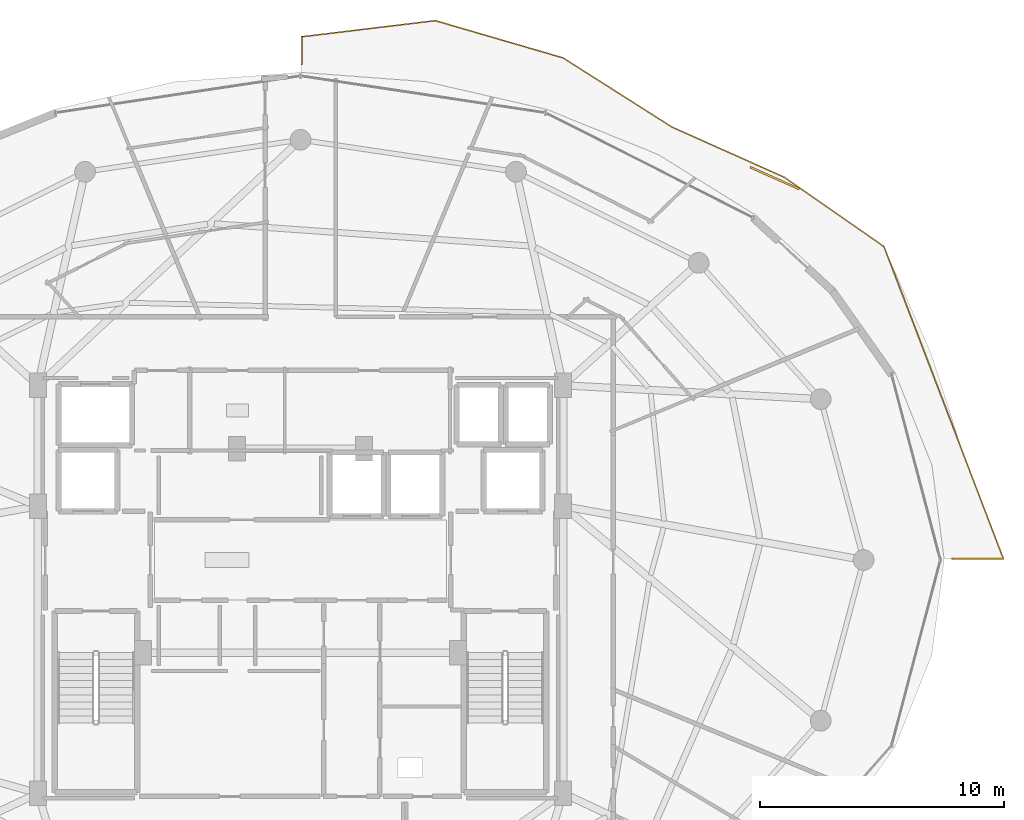
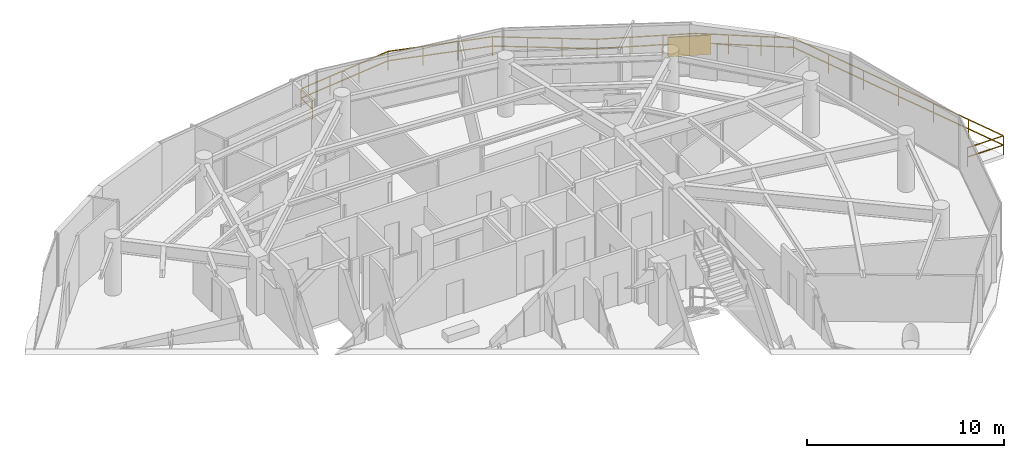
# One storey, part 31 of 32: 2 railings, 1 shading device.
"""IFC4 building model written with IfcOpenShell, lengths in metres."""

from ifc_helpers import new_model, si_unit, direction, frame, origin, origin_2d, place, context, subcontext, project, spatial, rectangle, extrude, material, type_object, element, save


model = new_model("IFC4")

# Units and contexts
model_context = context("Model", 3, precision=1e-05, world=origin(), true_north=direction((0.0, 1.0)))
body_context = subcontext(model_context, "Body", "Model", "MODEL_VIEW")
ifc_project = project(units=[si_unit("LENGTHUNIT", "METRE"), si_unit("AREAUNIT", "SQUARE_METRE"), si_unit("VOLUMEUNIT", "CUBIC_METRE"), si_unit("PLANEANGLEUNIT", "RADIAN"), si_unit("MASSUNIT", "GRAM", prefix="KILO")], contexts=[model_context])

# Site, building, storey
site_placement = place(None, origin())
site = spatial("IfcSite", under=ifc_project, at=site_placement, CompositionType="ELEMENT")
building_placement = place(site_placement, origin())
building = spatial("IfcBuilding", under=site, at=building_placement, Name="Vorneva Point Tower", CompositionType="ELEMENT")
storey_placement = place(building_placement, frame((0.0, 0.0, 269.75)))
storey = spatial("IfcBuildingStorey", under=building, at=storey_placement, Name="L73", CompositionType="ELEMENT", Elevation=269.75)

# Railings
ifc_material = material(Name="Pale anodised aluminium", Category="aluminium")
railing_type = type_object("IfcRailingType", Name="RL-BAL-1200", PredefinedType="BALUSTRADE", material=ifc_material)
railing_1_placement = place(storey_placement, frame((38.050048828125, 47.4208984375, 0.0)))
element("IfcRailing", 1, at=railing_1_placement, inside=storey, type_object=railing_type, Name="L73 Wave Balcony Balustrade NE.1", PredefinedType="BALUSTRADE", context=body_context, shape_type="SweptSolid", body=[
    extrude(rectangle(XDim=0.048095703125, YDim=0.048095703125, at=origin_2d()), frame((0.0, 0.0, 1.17578125), z_axis=(0.0, -1.0, 0.0), x_axis=(1.0, 0.0, 0.0)), (0.0, 0.0, 1.0), 1.143798828125),
    extrude(rectangle(XDim=0.048095703125, YDim=0.048095703125, at=origin_2d()), frame((0.0, 0.0, 0.60009765625), z_axis=(0.0, -1.0, 0.0), x_axis=(1.0, 0.0, 0.0)), (0.0, 0.0, 1.0), 1.143798828125),
    extrude(rectangle(XDim=0.0419921875, YDim=0.0419921875, at=origin_2d()), origin(), (0.0, 0.0, 1.0), 1.15185546875),
    extrude(rectangle(XDim=0.0419921875, YDim=0.0419921875, at=origin_2d()), frame((0.0, -1.143798828125, 0.0)), (0.0, 0.0, 1.0), 1.15185546875),
])
railing_2_placement = place(storey_placement, frame((64.666259765625, 26.050048828125, 0.0)))
element("IfcRailing", 2, at=railing_2_placement, inside=storey, type_object=railing_type, Name="L73 Wave Balcony Balustrade NE.2", PredefinedType="BALUSTRADE", context=body_context, shape_type="SweptSolid", body=[
    extrude(rectangle(XDim=0.048095703125, YDim=0.048095703125, at=origin_2d()), frame((0.0, 0.0, 1.17578125), z_axis=(1.0, 0.0, 0.0), x_axis=(0.0, 1.0, 0.0)), (0.0, 0.0, 1.0), 2.109619140625),
    extrude(rectangle(XDim=0.048095703125, YDim=0.048095703125, at=origin_2d()), frame((0.0, 0.0, 0.60009765625), z_axis=(1.0, 0.0, 0.0), x_axis=(0.0, 1.0, 0.0)), (0.0, 0.0, 1.0), 2.109619140625),
    extrude(rectangle(XDim=0.048095703125, YDim=0.048095703125, at=origin_2d()), frame((2.109619140625, 0.0, 1.17578125), z_axis=(-0.35724640499, 0.934010174528, 0.0), x_axis=(-0.934010174528, -0.35724640499, 0.0)), (0.0, 0.0, 1.0), 13.686279296875),
    extrude(rectangle(XDim=0.048095703125, YDim=0.048095703125, at=origin_2d()), frame((2.109619140625, 0.0, 0.60009765625), z_axis=(-0.35724640499, 0.934010174528, 0.0), x_axis=(-0.934010174528, -0.35724640499, 0.0)), (0.0, 0.0, 1.0), 13.686279296875),
    extrude(rectangle(XDim=0.048095703125, YDim=0.048095703125, at=origin_2d()), frame((-2.77978515625, 12.783203125, 1.17578125), z_axis=(-0.820997387807, 0.570931947971, 0.0), x_axis=(-0.570931947971, -0.820997387807, 0.0)), (0.0, 0.0, 1.0), 4.965576171875),
    extrude(rectangle(XDim=0.048095703125, YDim=0.048095703125, at=origin_2d()), frame((-2.77978515625, 12.783203125, 0.60009765625), z_axis=(-0.820997387807, 0.570931947971, 0.0), x_axis=(-0.570931947971, -0.820997387807, 0.0)), (0.0, 0.0, 1.0), 4.965576171875),
    extrude(rectangle(XDim=0.048095703125, YDim=0.048095703125, at=origin_2d()), frame((-6.8564453125, 15.6181640625, 1.17578125), z_axis=(-0.913022533986, 0.407909122763, 0.0), x_axis=(-0.407909122763, -0.913022533986, 0.0)), (0.0, 0.0, 1.0), 5.038330078125),
    extrude(rectangle(XDim=0.048095703125, YDim=0.048095703125, at=origin_2d()), frame((-6.8564453125, 15.6181640625, 0.60009765625), z_axis=(-0.913022533986, 0.407909122763, 0.0), x_axis=(-0.407909122763, -0.913022533986, 0.0)), (0.0, 0.0, 1.0), 5.038330078125),
    extrude(rectangle(XDim=0.048095703125, YDim=0.048095703125, at=origin_2d()), frame((-11.45654296875, 17.67333984375, 1.17578125), z_axis=(-0.844167028657, 0.53608024374, 0.0), x_axis=(-0.53608024374, -0.844167028657, 0.0)), (0.0, 0.0, 1.0), 5.28564453125),
    extrude(rectangle(XDim=0.048095703125, YDim=0.048095703125, at=origin_2d()), frame((-11.45654296875, 17.67333984375, 0.60009765625), z_axis=(-0.844167028657, 0.53608024374, 0.0), x_axis=(-0.53608024374, -0.844167028657, 0.0)), (0.0, 0.0, 1.0), 5.28564453125),
    extrude(rectangle(XDim=0.048095703125, YDim=0.048095703125, at=origin_2d()), frame((-15.91845703125, 20.5068359375, 1.17578125), z_axis=(-0.960109356383, 0.279624791078, 0.0), x_axis=(-0.279624791078, -0.960109356383, 0.0)), (0.0, 0.0, 1.0), 5.447265625),
    extrude(rectangle(XDim=0.048095703125, YDim=0.048095703125, at=origin_2d()), frame((-15.91845703125, 20.5068359375, 0.60009765625), z_axis=(-0.960109356383, 0.279624791078, 0.0), x_axis=(-0.279624791078, -0.960109356383, 0.0)), (0.0, 0.0, 1.0), 5.447265625),
    extrude(rectangle(XDim=0.048095703125, YDim=0.048095703125, at=origin_2d()), frame((-21.1484375, 22.030029296875, 1.17578125), z_axis=(-0.992811242742, -0.119690585614, 0.0), x_axis=(0.119690585614, -0.992811242742, 0.0)), (0.0, 0.0, 1.0), 5.50732421875),
    extrude(rectangle(XDim=0.048095703125, YDim=0.048095703125, at=origin_2d()), frame((-21.1484375, 22.030029296875, 0.60009765625), z_axis=(-0.992811242742, -0.119690585614, 0.0), x_axis=(0.119690585614, -0.992811242742, 0.0)), (0.0, 0.0, 1.0), 5.50732421875),
    extrude(rectangle(XDim=0.0419921875, YDim=0.0419921875, at=origin_2d()), origin(), (0.0, 0.0, 1.0), 1.15185546875),
    extrude(rectangle(XDim=0.0419921875, YDim=0.0419921875, at=origin_2d()), frame((2.109619140625, 0.0, 0.0)), (0.0, 0.0, 1.0), 1.15185546875),
    extrude(rectangle(XDim=0.0419921875, YDim=0.0419921875, at=origin_2d()), frame((1.294677734375, 2.130615234375, 0.0)), (0.0, 0.0, 1.0), 1.15185546875),
    extrude(rectangle(XDim=0.0419921875, YDim=0.0419921875, at=origin_2d()), frame((0.479736328125, 4.260986328125, 0.0)), (0.0, 0.0, 1.0), 1.15185546875),
    extrude(rectangle(XDim=0.0419921875, YDim=0.0419921875, at=origin_2d()), frame((-0.3349609375, 6.3916015625, 0.0)), (0.0, 0.0, 1.0), 1.15185546875),
    extrude(rectangle(XDim=0.0419921875, YDim=0.0419921875, at=origin_2d()), frame((-1.14990234375, 8.522216796875, 0.0)), (0.0, 0.0, 1.0), 1.15185546875),
    extrude(rectangle(XDim=0.0419921875, YDim=0.0419921875, at=origin_2d()), frame((-1.96484375, 10.652587890625, 0.0)), (0.0, 0.0, 1.0), 1.15185546875),
    extrude(rectangle(XDim=0.0419921875, YDim=0.0419921875, at=origin_2d()), frame((-2.77978515625, 12.783203125, 0.0)), (0.0, 0.0, 1.0), 1.15185546875),
    extrude(rectangle(XDim=0.0419921875, YDim=0.0419921875, at=origin_2d()), frame((-4.138671875, 13.728271484375, 0.0)), (0.0, 0.0, 1.0), 1.15185546875),
    extrude(rectangle(XDim=0.0419921875, YDim=0.0419921875, at=origin_2d()), frame((-5.49755859375, 14.673095703125, 0.0)), (0.0, 0.0, 1.0), 1.15185546875),
    extrude(rectangle(XDim=0.0419921875, YDim=0.0419921875, at=origin_2d()), frame((-6.8564453125, 15.6181640625, 0.0)), (0.0, 0.0, 1.0), 1.15185546875),
    extrude(rectangle(XDim=0.0419921875, YDim=0.0419921875, at=origin_2d()), frame((-8.389892578125, 16.30322265625, 0.0)), (0.0, 0.0, 1.0), 1.15185546875),
    extrude(rectangle(XDim=0.0419921875, YDim=0.0419921875, at=origin_2d()), frame((-9.923095703125, 16.98828125, 0.0)), (0.0, 0.0, 1.0), 1.15185546875),
    extrude(rectangle(XDim=0.0419921875, YDim=0.0419921875, at=origin_2d()), frame((-11.45654296875, 17.67333984375, 0.0)), (0.0, 0.0, 1.0), 1.15185546875),
    extrude(rectangle(XDim=0.0419921875, YDim=0.0419921875, at=origin_2d()), frame((-12.94384765625, 18.617919921875, 0.0)), (0.0, 0.0, 1.0), 1.15185546875),
    extrude(rectangle(XDim=0.0419921875, YDim=0.0419921875, at=origin_2d()), frame((-14.43115234375, 19.562255859375, 0.0)), (0.0, 0.0, 1.0), 1.15185546875),
    extrude(rectangle(XDim=0.0419921875, YDim=0.0419921875, at=origin_2d()), frame((-15.91845703125, 20.5068359375, 0.0)), (0.0, 0.0, 1.0), 1.15185546875),
    extrude(rectangle(XDim=0.0419921875, YDim=0.0419921875, at=origin_2d()), frame((-17.661865234375, 21.0146484375, 0.0)), (0.0, 0.0, 1.0), 1.15185546875),
    extrude(rectangle(XDim=0.0419921875, YDim=0.0419921875, at=origin_2d()), frame((-19.405029296875, 21.522216796875, 0.0)), (0.0, 0.0, 1.0), 1.15185546875),
    extrude(rectangle(XDim=0.0419921875, YDim=0.0419921875, at=origin_2d()), frame((-21.1484375, 22.030029296875, 0.0)), (0.0, 0.0, 1.0), 1.15185546875),
    extrude(rectangle(XDim=0.0419921875, YDim=0.0419921875, at=origin_2d()), frame((-22.970947265625, 21.810302734375, 0.0)), (0.0, 0.0, 1.0), 1.15185546875),
    extrude(rectangle(XDim=0.0419921875, YDim=0.0419921875, at=origin_2d()), frame((-24.793701171875, 21.590576171875, 0.0)), (0.0, 0.0, 1.0), 1.15185546875),
    extrude(rectangle(XDim=0.0419921875, YDim=0.0419921875, at=origin_2d()), frame((-26.6162109375, 21.370849609375, 0.0)), (0.0, 0.0, 1.0), 1.15185546875),
])

# Shading device
shading_device_type = type_object("IfcShadingDeviceType", Name="SHD-JAL-1200", PredefinedType="JALOUSIE", material=ifc_material)
shading_device_placement = place(storey_placement, frame((57.408203125, 41.633056640625, -0.02001953125), z_axis=(0.0, 0.0, 1.0), x_axis=(-0.913012258106, 0.407932122476, 0.0)))
element("IfcShadingDevice", 3, at=shading_device_placement, inside=storey, type_object=shading_device_type, Name="L73 Balcony Vertical-Greenery Planter Screen NE.2", PredefinedType="JALOUSIE", context=body_context, shape_type="SweptSolid", body=[
    extrude(rectangle(XDim=2.199951171875, YDim=0.080078125, at=origin_2d()), origin(), (0.0, 0.0, 1.0), 1.199951171875),
])

save(model, "model.ifc")
